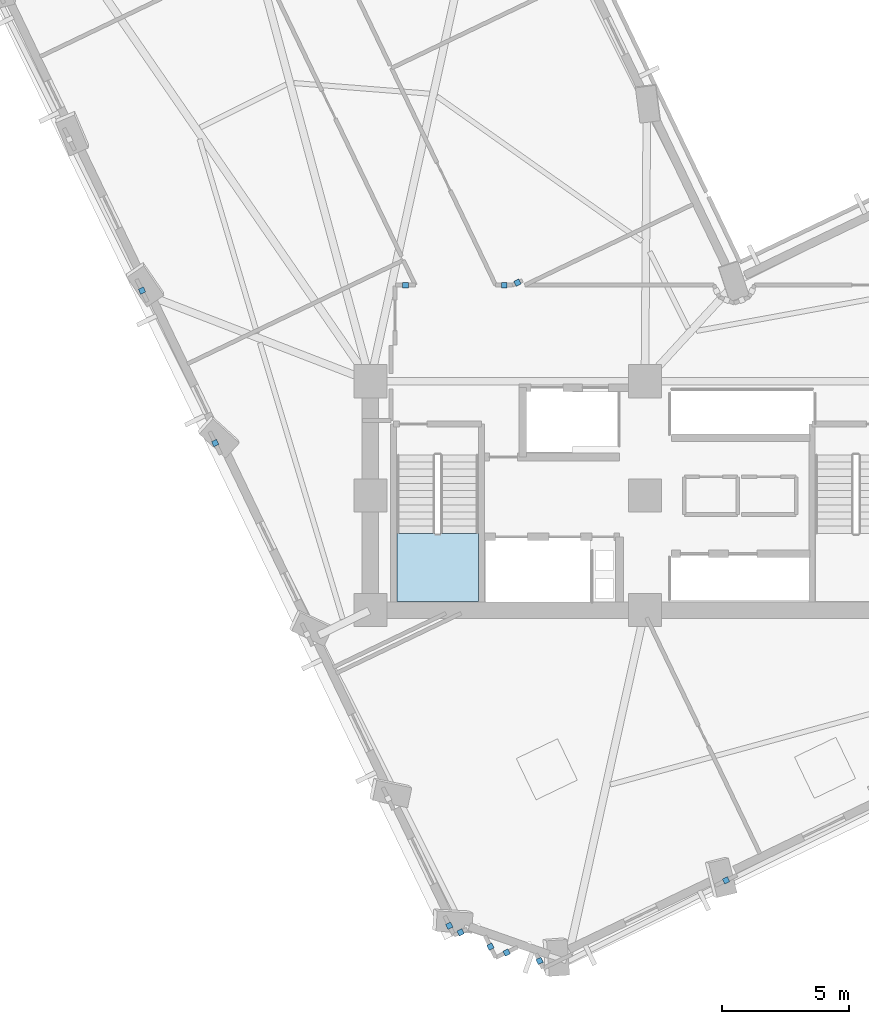
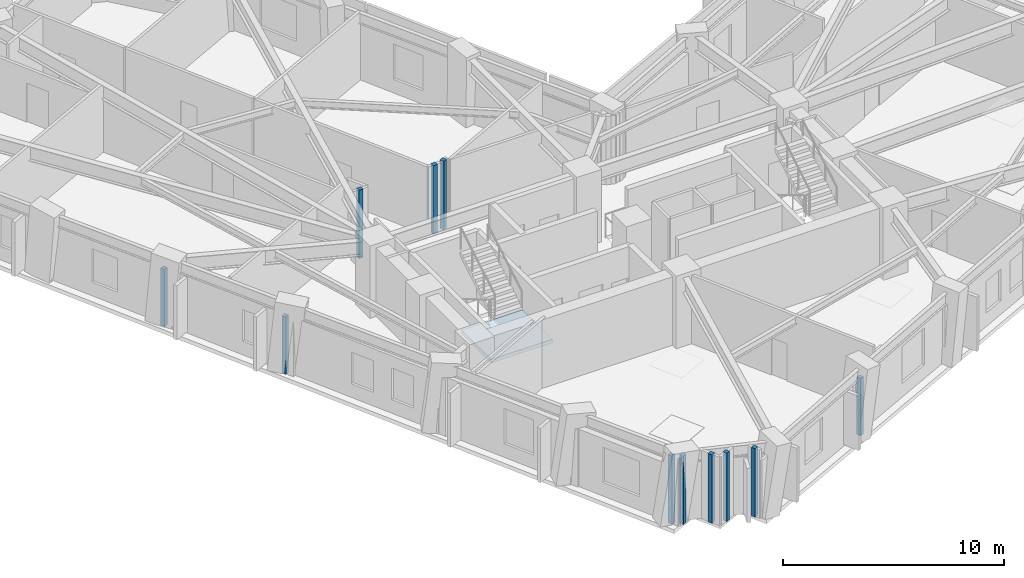
# One storey, part 3 of 16: 11 plates, 1 slab, 1 element without a shape of its own.
"""IFC4 building model written with IfcOpenShell, lengths in metres."""

from ifc_helpers import new_model, si_unit, direction, frame, origin, origin_2d, place, context, subcontext, project, spatial, polyline, rectangle, outline, extrude, material, layer, layer_set, type_object, element, aggregate, save


model = new_model("IFC4")

# Units and contexts
model_context = context("Model", 3, precision=1e-05, world=origin(), true_north=direction((0.0, 1.0)))
body_context = subcontext(model_context, "Body", "Model", "MODEL_VIEW")
ifc_project = project(units=[si_unit("LENGTHUNIT", "METRE"), si_unit("AREAUNIT", "SQUARE_METRE"), si_unit("VOLUMEUNIT", "CUBIC_METRE"), si_unit("PLANEANGLEUNIT", "RADIAN"), si_unit("MASSUNIT", "GRAM", prefix="KILO")], contexts=[model_context])

# Site, building, storey
site_placement = place(None, origin())
site = spatial("IfcSite", under=ifc_project, at=site_placement, CompositionType="ELEMENT")
building_placement = place(site_placement, origin())
building = spatial("IfcBuilding", under=site, at=building_placement, Name="Gaonmaruhae Medical Tower", CompositionType="ELEMENT")
storey_placement = place(building_placement, frame((0.0, 0.0, 132.39990234375)))
storey = spatial("IfcBuildingStorey", under=building, at=storey_placement, Name="L31", CompositionType="ELEMENT", Elevation=132.39990234375)

# Plates
ifc_material_1 = material(Name="Anodised aluminium 6063-T6", Category="aluminium")
ifc_layer_1 = layer(ifc_material_1, 0.011962890625)
ifc_layer_set_1 = layer_set([ifc_layer_1], Name="Anodised aluminium 6063-T6")
plate_type = type_object("IfcPlateType", Name="PP-01 Interior Partition Corner Stiffener Plate", PredefinedType="SHEET", material=ifc_layer_set_1)
for number, where, z_axis, x_axis, name in (
    (1, (18.72412109375, -5.439453125, 0.0), (0.0, 0.0, 1.0), (-0.433407439509, 0.901198086648, 0.0), "L31 Partition Corner Stiffener Plate PLT-L31-JGP-PW008"),
    (2, (17.548095703125, -4.87255859375, 0.0), (0.0, 0.0, 1.0), (-0.901334201137, -0.433124298397, 0.0), "L31 Partition Corner Stiffener Plate PLT-L31-JGP-PW009"),
    (3, (17.1083984375, -4.615966796875, 0.0), (0.0, 0.0, 1.0), (-0.432919781007, 0.901432450721, 0.0), "L31 Partition Corner Stiffener Plate PLT-L31-JGP-PW010"),
):
    element("IfcPlate", number, at=place(storey_placement, frame(where, z_axis=z_axis, x_axis=x_axis)), inside=storey, type_object=plate_type, Name=name, PredefinedType="SHEET", context=body_context, shape_type="SweptSolid", body=[
        extrude(rectangle(XDim=0.219970703125, YDim=0.219970703125, at=origin_2d()), origin(), (0.0, 0.0, 1.0), 3.780029296875),
    ])
plate_1_placement = place(storey_placement, frame((27.993408203125, -2.830078125, 0.0), z_axis=(0.0, 0.0, 1.0), x_axis=(-0.901258592958, -0.433281604294, 0.0)))
element("IfcPlate", 4, at=plate_1_placement, inside=storey, type_object=plate_type, Name="L31 Partition Corner Stiffener Plate PLT-L31-JGP-PW014", PredefinedType="SHEET", context=body_context, shape_type="SweptSolid", body=[
    extrude(rectangle(XDim=0.219970703125, YDim=0.219970703125, at=origin_2d()), origin(), (0.0, 0.0, 1.0), 3.1650390625),
])
for number, where, z_axis, x_axis, name in (
    (5, (20.656494140625, -5.99853515625, 0.0), (0.0, 0.0, 1.0), (-0.432778178988, 0.90150044248, 0.0), "L31 Partition Corner Stiffener Plate PLT-L31-JGP-PW016"),
    (6, (19.364013671875, -5.66455078125, 0.0), (0.0, 0.0, 1.0), (-0.901409781859, -0.432966979306, 0.0), "L31 Partition Corner Stiffener Plate PLT-L31-JGP-PW017"),
):
    element("IfcPlate", number, at=place(storey_placement, frame(where, z_axis=z_axis, x_axis=x_axis)), inside=storey, type_object=plate_type, Name=name, PredefinedType="SHEET", context=body_context, shape_type="SweptSolid", body=[
        extrude(rectangle(XDim=0.219970703125, YDim=0.219970703125, at=origin_2d()), origin(), (0.0, 0.0, 1.0), 3.780029296875),
    ])
plate_2_placement = place(storey_placement, frame((7.902099609375, 14.37060546875, 0.0), z_axis=(0.0, 0.0, 1.0), x_axis=(-0.433061372343, 0.90136443672, 0.0)))
element("IfcPlate", 7, at=plate_2_placement, inside=storey, type_object=plate_type, Name="L31 Partition Corner Stiffener Plate PLT-L31-JGP-PW044", PredefinedType="SHEET", context=body_context, shape_type="SweptSolid", body=[
    extrude(rectangle(XDim=0.219970703125, YDim=0.219970703125, at=origin_2d()), origin(), (0.0, 0.0, 1.0), 3.1650390625),
])
plate_3_placement = place(storey_placement, frame((15.383544921875, 20.580078125, 0.0), z_axis=(0.0, 0.0, 1.0), x_axis=(-1.0, 0.0, 0.0)))
element("IfcPlate", 8, at=plate_3_placement, inside=storey, type_object=plate_type, Name="L31 Partition Corner Stiffener Plate PLT-L31-JGP-PW047", PredefinedType="SHEET", context=body_context, shape_type="SweptSolid", body=[
    extrude(rectangle(XDim=0.219970703125, YDim=0.219970703125, at=origin_2d()), origin(), (0.0, 0.0, 1.0), 3.780029296875),
])
plate_4_placement = place(storey_placement, frame((5.02392578125, 20.364990234375, 0.0), z_axis=(0.0, 0.0, 1.0), x_axis=(-0.433328793489, 0.901235905151, 0.0)))
element("IfcPlate", 9, at=plate_4_placement, inside=storey, type_object=plate_type, Name="L31 Partition Corner Stiffener Plate PLT-L31-JGP-PW050", PredefinedType="SHEET", context=body_context, shape_type="SweptSolid", body=[
    extrude(rectangle(XDim=0.219970703125, YDim=0.219970703125, at=origin_2d()), origin(), (0.0, 0.0, 1.0), 3.1650390625),
])
for number, where, z_axis, x_axis, name in (
    (10, (19.260986328125, 20.580078125, 0.0), (0.0, 0.0, 1.0), (-1.0, 0.0, 0.0), "L31 Partition Corner Stiffener Plate PLT-L31-JGP-PW085"),
    (11, (19.7880859375, 20.674560546875, 0.0), (0.0, 0.0, 1.0), (-0.901628810667, -0.432510679376, 0.0), "L31 Partition Corner Stiffener Plate PLT-L31-JGP-PW089"),
):
    element("IfcPlate", number, at=place(storey_placement, frame(where, z_axis=z_axis, x_axis=x_axis)), inside=storey, type_object=plate_type, Name=name, PredefinedType="SHEET", context=body_context, shape_type="SweptSolid", body=[
        extrude(rectangle(XDim=0.219970703125, YDim=0.219970703125, at=origin_2d()), origin(), (0.0, 0.0, 1.0), 3.780029296875),
    ])

# Stair, slab
ifc_material_2 = material(Name="Concrete C40/50", Category="concrete")
stair_type = type_object("IfcStairType", Name="ST-T1 Primary Core Escape Dogleg Stair", PredefinedType="TWO_QUARTER_TURN_STAIR", material=ifc_material_2)
stair_placement = place(storey_placement, origin())
stair = element("IfcStair", 12, at=stair_placement, inside=storey, type_object=stair_type, Name="L31 Protected Escape Stair ST-01", PredefinedType="TWO_QUARTER_TURN_STAIR")
ifc_layer_2 = layer(ifc_material_2, 0.199951171875)
ifc_layer_set_2 = layer_set([ifc_layer_2], Name="Concrete C40/50")
slab_type = type_object("IfcSlabType", Name="SL-200 Stair & Ramp Intermediate Concrete Landing", PredefinedType="LANDING", material=ifc_layer_set_2)
slab_placement = place(storey_placement, frame((0.0, 0.0, 1.800048828125)))
slab = element("IfcSlab", 13, at=slab_placement, type_object=slab_type, Name="ST-01 landing 1", PredefinedType="LANDING", context=body_context, shape_type="SweptSolid", body=[
    extrude(outline(polyline([(15.050048828125, 10.820068359375), (15.050048828125, 8.12890625), (18.25, 8.12890625), (18.25, 10.820068359375), (15.050048828125, 10.820068359375)])), origin(), (0.0, 0.0, 1.0), 0.199951171875),
])
aggregate(stair, [slab])

save(model, "model.ifc")
